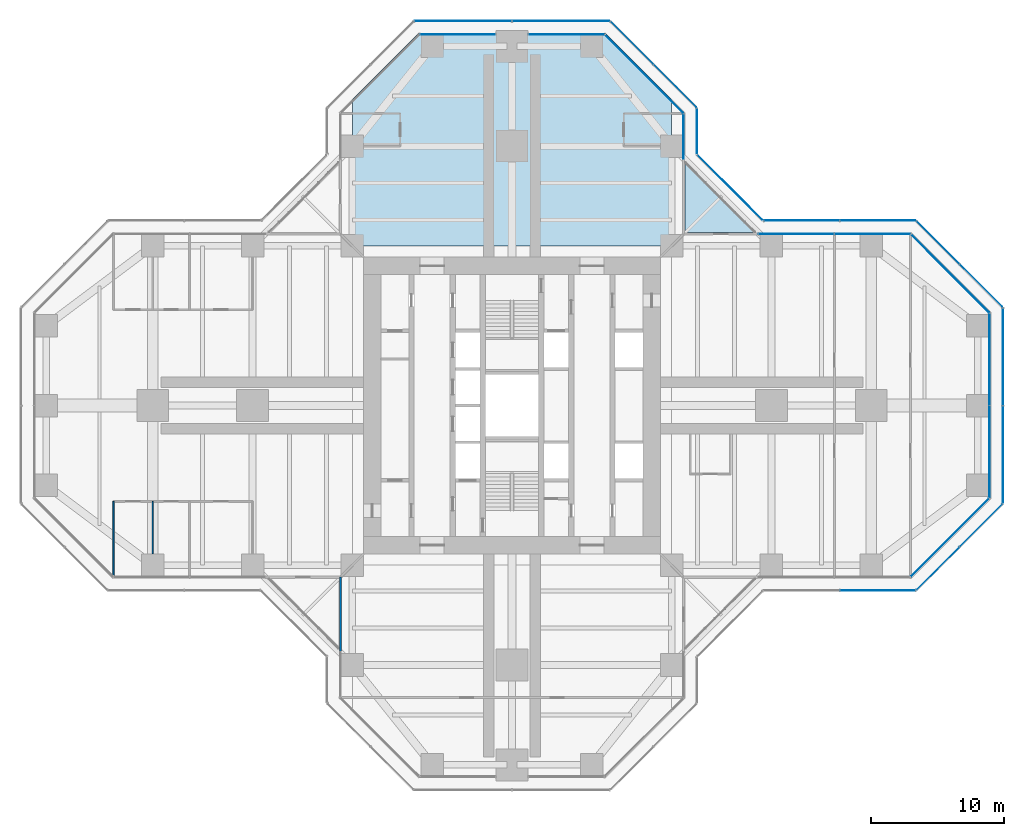
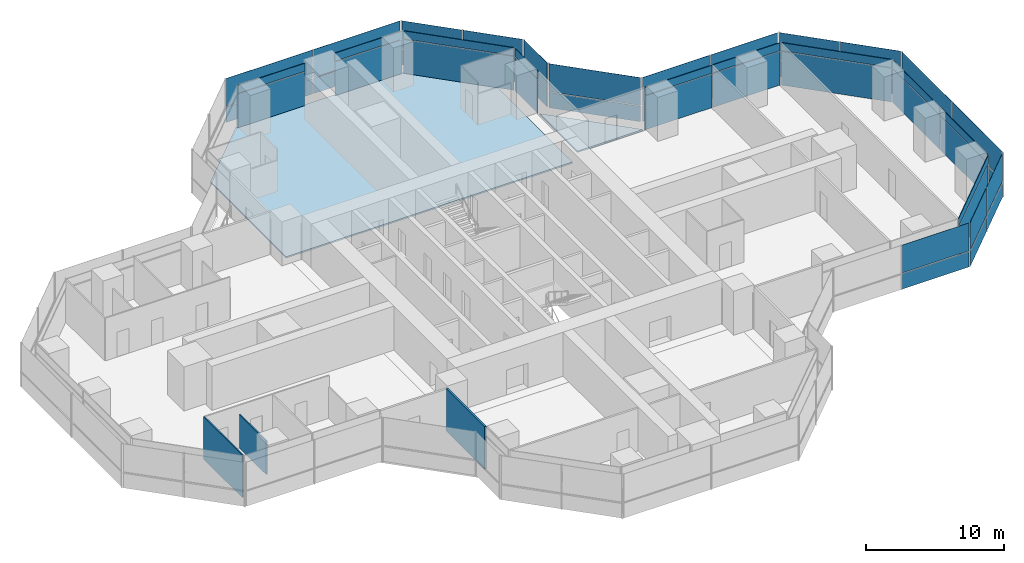
# One storey, part 14 of 20: 50 plates, 3 walls, 2 slabs, 17 elements without a shape of their own.
"""IFC4 building model written with IfcOpenShell, lengths in metres."""

import ifcopenshell
import ifcopenshell.guid

model = None  # the IFC model being written
_history = None  # IfcOwnerHistory: only IFC2X3 demands one
_inside = {}  # id of a spatial element -> (the spatial element, [elements in it])
_under = {}  # id of a project, library or spatial element -> (it, [spatial elements below it])
_declared = {}  # id of a project -> (the project, [libraries it declares])
_typed = {}  # id of a type object -> (the type object, [elements of that type])
_made_of = {}  # id of a material, layer set ... -> (it, [elements and type objects made of it])


def new_model(schema):
    """Start an empty IFC model of exactly this schema.

    Asked for "IFC4X3", IfcOpenShell would pick the latest addendum, in which some entities
    have other attributes; the version numbers below select the first issue.
    IFC2X3 requires an IfcOwnerHistory on every rooted entity: one is made here for all.
    """
    global model, _history
    if schema == "IFC4X3":
        model = ifcopenshell.file(schema_version=(4, 3, 0, 0))
    else:
        model = ifcopenshell.file(schema=schema)
    _inside.clear()
    _under.clear()
    _declared.clear()
    _typed.clear()
    _made_of.clear()
    _history = None
    if model.schema == "IFC2X3":
        org = make("IfcOrganization", Name="unknown")
        user = make(
            "IfcPersonAndOrganization",
            ThePerson=make("IfcPerson", FamilyName="unknown"),
            TheOrganization=org,
        )
        app = make(
            "IfcApplication",
            ApplicationDeveloper=org,
            Version="unknown",
            ApplicationFullName="unknown",
            ApplicationIdentifier="unknown",
        )
        _history = make(
            "IfcOwnerHistory",
            OwningUser=user,
            OwningApplication=app,
            ChangeAction="ADDED",
            CreationDate=0,
        )
    return model


def make(cls, **values):
    """One entity of the class cls with the attributes given. An attribute that is None is left unset."""
    return model.create_entity(
        cls, **{name: value for name, value in values.items() if value is not None}
    )


def rooted(cls, **values):
    """An entity with a GlobalId (a new one), such as an element, a storey or a relation."""
    return make(cls, GlobalId=ifcopenshell.guid.new(), OwnerHistory=_history, **values)


def si_unit(unit_type, name, prefix=None):
    """IfcSIUnit, for example si_unit("LENGTHUNIT", "METRE", prefix="MILLI")."""
    return make("IfcSIUnit", UnitType=unit_type, Prefix=prefix, Name=name)


def assignment(units):
    """IfcUnitAssignment: the units of a project."""
    return None if units is None else make("IfcUnitAssignment", Units=units)


def point(xyz):
    """IfcCartesianPoint."""
    return None if xyz is None else make("IfcCartesianPoint", Coordinates=xyz)


def direction(xyz):
    """IfcDirection."""
    return None if xyz is None else make("IfcDirection", DirectionRatios=xyz)


def frame(location, z_axis=None, x_axis=None):
    """IfcAxis2Placement3D, a coordinate frame: its origin and axes. An axis left out is left unset."""
    return make(
        "IfcAxis2Placement3D",
        Location=point(location),
        Axis=direction(z_axis),
        RefDirection=direction(x_axis),
    )


def frame_2d(location, x_axis=None):
    """IfcAxis2Placement2D, a coordinate frame in the plane: its origin and x axis."""
    return make(
        "IfcAxis2Placement2D", Location=point(location), RefDirection=direction(x_axis)
    )


def origin():
    """The frame at (0, 0, 0) with its axes left unset."""
    return frame((0.0, 0.0, 0.0))


def origin_2d():
    """The frame at (0, 0) in the plane with its x axis left unset."""
    return frame_2d((0.0, 0.0))


def place(relative_to, where):
    """IfcLocalPlacement: puts the frame where relative to a parent placement (None: the world)."""
    return make(
        "IfcLocalPlacement", PlacementRelTo=relative_to, RelativePlacement=where
    )


def context(
    kind, dimensions, precision=None, world=None, true_north=None, identifier=None
):
    """IfcGeometricRepresentationContext, for example the 3D "Model" context."""
    return make(
        "IfcGeometricRepresentationContext",
        ContextIdentifier=identifier,
        ContextType=kind,
        CoordinateSpaceDimension=dimensions,
        Precision=precision,
        WorldCoordinateSystem=world,
        TrueNorth=true_north,
    )


def subcontext(parent, identifier, kind, view, scale=None):
    """IfcGeometricRepresentationSubContext, for example "Body" below "Model"."""
    return make(
        "IfcGeometricRepresentationSubContext",
        ContextIdentifier=identifier,
        ContextType=kind,
        ParentContext=parent,
        TargetScale=scale,
        TargetView=view,
    )


def project(units=None, contexts=None):
    """IfcProject with its units and contexts."""
    return rooted(
        "IfcProject",
        Name="project",
        RepresentationContexts=contexts,
        UnitsInContext=assignment(units),
    )


def spatial(cls, under=None, at=None, **own):
    """A site, building, storey or space (cls), placed at a placement, below another one or the project."""
    s = rooted(cls, ObjectPlacement=at, **own)
    if under is not None:
        _under.setdefault(under.id(), (under, []))[1].append(s)
    return s


def polyline(points):
    """IfcPolyline through the points."""
    return make("IfcPolyline", Points=[point(p) for p in points])


def profile(cls, at=None, kind="AREA", **sizes):
    """A parametric profile (cls). Its sizes go by their IFC names, for example OverallWidth=200.0."""
    return make(cls, ProfileType=kind, Position=at, **sizes)


def rectangle(**sizes):
    """IfcRectangleProfileDef."""
    return profile("IfcRectangleProfileDef", **sizes)


def outline(outer, holes=None, kind="AREA"):
    """IfcArbitraryClosedProfileDef: a profile drawn as a closed curve; with holes, ...WithVoids."""
    if holes is None:
        return make("IfcArbitraryClosedProfileDef", ProfileType=kind, OuterCurve=outer)
    return make(
        "IfcArbitraryProfileDefWithVoids",
        ProfileType=kind,
        OuterCurve=outer,
        InnerCurves=holes,
    )


def extrude(swept, where, along, depth):
    """IfcExtrudedAreaSolid: the profile swept, set in the frame where, extruded along a direction by depth."""
    return make(
        "IfcExtrudedAreaSolid",
        SweptArea=swept,
        Position=where,
        ExtrudedDirection=direction(along),
        Depth=depth,
    )


def shape(context_of_items, identifier, shape_type, items):
    """IfcShapeRepresentation: the items that make up one representation, for example the "Body"."""
    return make(
        "IfcShapeRepresentation",
        ContextOfItems=context_of_items,
        RepresentationIdentifier=identifier,
        RepresentationType=shape_type,
        Items=items,
    )


def material(Name=None, Category=None):
    """IfcMaterial."""
    return make("IfcMaterial", Name=Name, Category=Category)


def layer(
    of_material, thickness, ventilated=None, Name=None, Category=None, Priority=None
):
    """IfcMaterialLayer: one layer of a wall or slab, of a material (None: an air gap)."""
    return make(
        "IfcMaterialLayer",
        Material=of_material,
        LayerThickness=thickness,
        IsVentilated=ventilated,
        Name=Name,
        Category=Category,
        Priority=Priority,
    )


def layer_set(layers, Name=None):
    """IfcMaterialLayerSet."""
    return make("IfcMaterialLayerSet", MaterialLayers=layers, LayerSetName=Name)


def made_of(thing, what):
    """Note that an element or type object is made of a material, layer set ...; save() writes the relation."""
    if what is not None:
        _made_of.setdefault(what.id(), (what, []))[1].append(thing)
    return thing


def type_object(cls, material=None, **own):
    """A type object (cls), such as IfcWallType, which elements share."""
    return made_of(rooted(cls, **own), material)


def element(
    cls,
    number,
    at=None,
    inside=None,
    cuts=None,
    type_object=None,
    material=None,
    context=None,
    identifier="Body",
    shape_type=None,
    held_by="IfcProductDefinitionShape",
    body=None,
    shapes=None,
    **own,
):
    """One element of the class cls, such as IfcWall. Its Tag is "e" and its number.

    at: its placement. inside: the storey or other place that contains it. cuts: it is an
    opening in that element (IfcRelVoidsElement). A single representation is given by context,
    identifier, shape_type and body (its items); several are given by shapes. held_by: the class
    of the entity that holds the representations. save() writes the other relations.
    """
    e = rooted(cls, Tag="e%d" % number, ObjectPlacement=at, **own)
    if body is not None:
        shapes = [shape(context, identifier, shape_type, body)]
    if shapes is not None:
        e.Representation = make(held_by, Representations=shapes)
    if inside is not None:
        _inside.setdefault(inside.id(), (inside, []))[1].append(e)
    if cuts is not None:
        rooted(
            "IfcRelVoidsElement", RelatingBuildingElement=cuts, RelatedOpeningElement=e
        )
    if type_object is not None:
        _typed.setdefault(type_object.id(), (type_object, []))[1].append(e)
    return made_of(e, material)


def aggregate(whole, parts):
    """IfcRelAggregates: a whole, such as a stair, and the parts it consists of."""
    return rooted("IfcRelAggregates", RelatingObject=whole, RelatedObjects=parts)


def save(model, path):
    """Write the relations noted so far, then the file.

    IfcRelAggregates (storeys below a building ...), IfcRelContainedInSpatialStructure (elements
    in a storey), IfcRelDefinesByType, IfcRelAssociatesMaterial and IfcRelDeclares: one each for
    every whole, place, type object, material and project.
    """
    for whole, parts in _under.values():
        aggregate(whole, parts)
    for where, things in _inside.values():
        rooted(
            "IfcRelContainedInSpatialStructure",
            RelatedElements=things,
            RelatingStructure=where,
        )
    for kind, things in _typed.values():
        rooted("IfcRelDefinesByType", RelatedObjects=things, RelatingType=kind)
    for what, things in _made_of.values():
        rooted("IfcRelAssociatesMaterial", RelatedObjects=things, RelatingMaterial=what)
    for by, libraries in _declared.values():
        rooted("IfcRelDeclares", RelatingContext=by, RelatedDefinitions=libraries)
    model.write(path)


model = new_model("IFC4")

# Units and contexts
model_context = context("Model", 3, precision=1e-05, world=origin(), true_north=direction((0.0, 1.0)))
body_context = subcontext(model_context, "Body", "Model", "MODEL_VIEW")
ifc_project = project(units=[si_unit("LENGTHUNIT", "METRE"), si_unit("AREAUNIT", "SQUARE_METRE"), si_unit("VOLUMEUNIT", "CUBIC_METRE"), si_unit("PLANEANGLEUNIT", "RADIAN"), si_unit("MASSUNIT", "GRAM", prefix="KILO")], contexts=[model_context])

# Site, building, storey
site_placement = place(None, origin())
site = spatial("IfcSite", under=ifc_project, at=site_placement, CompositionType="ELEMENT")
building_placement = place(site_placement, origin())
building = spatial("IfcBuilding", under=site, at=building_placement, Name="Mizan Broadcast Tower", CompositionType="ELEMENT")
storey_placement = place(building_placement, frame((0.0, 0.0, 174.89990234375)))
storey = spatial("IfcBuildingStorey", under=building, at=storey_placement, Name="L40", CompositionType="ELEMENT", Elevation=174.89990234375)

# Slab
ifc_material_1 = material(Name="Concrete C32/40", Category="concrete")
ifc_layer_1 = layer(ifc_material_1, 0.1298828125)
ifc_layer_set_1 = layer_set([ifc_layer_1], Name="Concrete C32/40")
slab_type_1 = type_object("IfcSlabType", Name="COMPOSITE DECK SLAB 130", PredefinedType="FLOOR", material=ifc_layer_set_1)
slab_1_placement = place(storey_placement, frame((0.0, 0.0, -0.1298828125)))
element("IfcSlab", 1, at=slab_1_placement, inside=storey, type_object=slab_type_1, Name="Floor slab L40 north arm", PredefinedType="FLOOR", context=body_context, shape_type="SweptSolid", body=[
    extrude(outline(polyline([(-7.0, 28.0), (-12.0, 23.0), (-12.0, 12.0), (12.0, 12.0), (12.0, 23.0), (7.0, 28.0), (-7.0, 28.0)])), origin(), (0.0, 0.0, 1.0), 0.1298828125),
])

# Curtain wall, plate
ifc_material_2 = material(Name="Aluminium framed glazing", Category="aluminium")
curtain_wall_type_1 = type_object("IfcCurtainWallType", Name="INNER SKIN MID ZONE", PredefinedType="USERDEFINED", material=ifc_material_2)
curtain_wall_1_placement = place(storey_placement, origin())
curtain_wall_1 = element("IfcCurtainWall", 2, at=curtain_wall_1_placement, inside=storey, type_object=curtain_wall_type_1, Name="Inner skin mid zone L40 E chamfer", ObjectType="INNER SKIN MID ZONE", PredefinedType="USERDEFINED")
ifc_material_3 = material(Name="Double glazing, clear low-e", Category="glass")
ifc_layer_2 = layer(ifc_material_3, 0.028076171875)
ifc_layer_set_2 = layer_set([ifc_layer_2], Name="Double glazing, clear low-e")
plate_type_1 = type_object("IfcPlateType", Name="INNER SKIN GLAZING UNIT", PredefinedType="CURTAIN_PANEL", material=ifc_layer_set_2)
plate_1_placement = place(storey_placement, frame((32.92919921875, -9.92919921875, 0.0), z_axis=(0.0, 0.0, 1.0), x_axis=(0.707106781187, 0.707106781187, 0.0)))
plate_1 = element("IfcPlate", 3, at=plate_1_placement, type_object=plate_type_1, Name="Inner skin mid zone L40 E chamfer panel 1.1", PredefinedType="CURTAIN_PANEL", context=body_context, shape_type="SweptSolid", body=[
    extrude(rectangle(XDim=8.282470703125, YDim=0.028076171875, at=origin_2d()), origin(), (0.0, 0.0, 1.0), 3.0),
])

# Curtain wall, plates
curtain_wall_2_placement = place(storey_placement, origin())
curtain_wall_2 = element("IfcCurtainWall", 4, at=curtain_wall_2_placement, inside=storey, type_object=curtain_wall_type_1, Name="Inner skin mid zone L40 E end", ObjectType="INNER SKIN MID ZONE", PredefinedType="USERDEFINED")
plate_2_placement = place(storey_placement, frame((35.89990234375, -3.46435546875, 0.0), z_axis=(0.0, 0.0, 1.0), x_axis=(0.0, 1.0, 0.0)))
plate_2 = element("IfcPlate", 5, at=plate_2_placement, type_object=plate_type_1, Name="Inner skin mid zone L40 E end panel 1.1", PredefinedType="CURTAIN_PANEL", context=body_context, shape_type="SweptSolid", body=[
    extrude(rectangle(XDim=6.86865234375, YDim=0.028076171875, at=origin_2d()), origin(), (0.0, 0.0, 1.0), 3.0),
])
plate_3_placement = place(storey_placement, frame((35.89990234375, 3.46435546875, 0.0), z_axis=(0.0, 0.0, 1.0), x_axis=(0.0, 1.0, 0.0)))
plate_3 = element("IfcPlate", 6, at=plate_3_placement, type_object=plate_type_1, Name="Inner skin mid zone L40 E end panel 2.1", PredefinedType="CURTAIN_PANEL", context=body_context, shape_type="SweptSolid", body=[
    extrude(rectangle(XDim=6.86865234375, YDim=0.028076171875, at=origin_2d()), origin(), (0.0, 0.0, 1.0), 3.0),
])

# Curtain wall, plate
curtain_wall_3_placement = place(storey_placement, origin())
curtain_wall_3 = element("IfcCurtainWall", 7, at=curtain_wall_3_placement, inside=storey, type_object=curtain_wall_type_1, Name="Inner skin mid zone L40 E chamfer", ObjectType="INNER SKIN MID ZONE", PredefinedType="USERDEFINED")
plate_4_placement = place(storey_placement, frame((32.92919921875, 9.92919921875, 0.0), z_axis=(0.0, 0.0, 1.0), x_axis=(-0.707106781187, 0.707106781187, 0.0)))
plate_4 = element("IfcPlate", 8, at=plate_4_placement, type_object=plate_type_1, Name="Inner skin mid zone L40 E chamfer panel 1.1", PredefinedType="CURTAIN_PANEL", context=body_context, shape_type="SweptSolid", body=[
    extrude(rectangle(XDim=8.282470703125, YDim=0.028076171875, at=origin_2d()), origin(), (0.0, 0.0, 1.0), 3.0),
])

# Curtain wall, plates
curtain_wall_4_placement = place(storey_placement, origin())
curtain_wall_4 = element("IfcCurtainWall", 9, at=curtain_wall_4_placement, inside=storey, type_object=curtain_wall_type_1, Name="Inner skin mid zone L40 E side", ObjectType="INNER SKIN MID ZONE", PredefinedType="USERDEFINED")
plate_5_placement = place(storey_placement, frame((27.078857421875, 12.89990234375, 0.0), z_axis=(0.0, 0.0, 1.0), x_axis=(-1.0, 0.0, 0.0)))
plate_5 = element("IfcPlate", 10, at=plate_5_placement, type_object=plate_type_1, Name="Inner skin mid zone L40 E side panel 1.1", PredefinedType="CURTAIN_PANEL", context=body_context, shape_type="SweptSolid", body=[
    extrude(rectangle(XDim=5.639404296875, YDim=0.028076171875, at=origin_2d()), origin(), (0.0, 0.0, 1.0), 3.0),
])
plate_6_placement = place(storey_placement, frame((21.379638671875, 12.89990234375, 0.0), z_axis=(0.0, 0.0, 1.0), x_axis=(-1.0, 0.0, 0.0)))
plate_6 = element("IfcPlate", 11, at=plate_6_placement, type_object=plate_type_1, Name="Inner skin mid zone L40 E side panel 2.1", PredefinedType="CURTAIN_PANEL", context=body_context, shape_type="SweptSolid", body=[
    extrude(rectangle(XDim=5.639404296875, YDim=0.028076171875, at=origin_2d()), origin(), (0.0, 0.0, 1.0), 3.0),
])

# Curtain wall, plate
curtain_wall_5_placement = place(storey_placement, origin())
curtain_wall_5 = element("IfcCurtainWall", 12, at=curtain_wall_5_placement, inside=storey, type_object=curtain_wall_type_1, Name="Inner skin mid zone L40 N side", ObjectType="INNER SKIN MID ZONE", PredefinedType="USERDEFINED")
plate_7_placement = place(storey_placement, frame((12.89990234375, 20.229248046875, 0.0), z_axis=(0.0, 0.0, 1.0), x_axis=(0.0, 1.0, 0.0)))
plate_7 = element("IfcPlate", 13, at=plate_7_placement, type_object=plate_type_1, Name="Inner skin mid zone L40 N side panel 1.1", PredefinedType="CURTAIN_PANEL", context=body_context, shape_type="SweptSolid", body=[
    extrude(rectangle(XDim=3.338623046875, YDim=0.028076171875, at=origin_2d()), origin(), (0.0, 0.0, 1.0), 3.0),
])

curtain_wall_6_placement = place(storey_placement, origin())
curtain_wall_6 = element("IfcCurtainWall", 14, at=curtain_wall_6_placement, inside=storey, type_object=curtain_wall_type_1, Name="Inner skin mid zone L40 N chamfer", ObjectType="INNER SKIN MID ZONE", PredefinedType="USERDEFINED")
plate_8_placement = place(storey_placement, frame((9.92919921875, 24.92919921875, 0.0), z_axis=(0.0, 0.0, 1.0), x_axis=(-0.707106781187, 0.707106781187, 0.0)))
plate_8 = element("IfcPlate", 15, at=plate_8_placement, type_object=plate_type_1, Name="Inner skin mid zone L40 N chamfer panel 1.1", PredefinedType="CURTAIN_PANEL", context=body_context, shape_type="SweptSolid", body=[
    extrude(rectangle(XDim=8.282470703125, YDim=0.028076171875, at=origin_2d()), origin(), (0.0, 0.0, 1.0), 3.0),
])

curtain_wall_7_placement = place(storey_placement, origin())
curtain_wall_7 = element("IfcCurtainWall", 16, at=curtain_wall_7_placement, inside=storey, type_object=curtain_wall_type_1, Name="Inner skin mid zone L40 N end", ObjectType="INNER SKIN MID ZONE", PredefinedType="USERDEFINED")
plate_9_placement = place(storey_placement, frame((4.079345703125, 27.89990234375, 0.0), z_axis=(0.0, 0.0, 1.0), x_axis=(-1.0, 0.0, 0.0)))
plate_9 = element("IfcPlate", 17, at=plate_9_placement, type_object=plate_type_1, Name="Inner skin mid zone L40 N end panel 1.1", PredefinedType="CURTAIN_PANEL", context=body_context, shape_type="SweptSolid", body=[
    extrude(rectangle(XDim=5.638671875, YDim=0.028076171875, at=origin_2d()), origin(), (0.0, 0.0, 1.0), 3.0),
])

curtain_wall_8_placement = place(storey_placement, origin())
curtain_wall_8 = element("IfcCurtainWall", 18, at=curtain_wall_8_placement, inside=storey, type_object=curtain_wall_type_1, Name="Inner skin mid zone L40 N end", ObjectType="INNER SKIN MID ZONE", PredefinedType="USERDEFINED")
plate_10_placement = place(storey_placement, frame((-4.079345703125, 27.89990234375, 0.0), z_axis=(0.0, 0.0, 1.0), x_axis=(-1.0, 0.0, 0.0)))
plate_10 = element("IfcPlate", 19, at=plate_10_placement, type_object=plate_type_1, Name="Inner skin mid zone L40 N end panel 1.1", PredefinedType="CURTAIN_PANEL", context=body_context, shape_type="SweptSolid", body=[
    extrude(rectangle(XDim=5.638671875, YDim=0.028076171875, at=origin_2d()), origin(), (0.0, 0.0, 1.0), 3.0),
])

# Plate
ifc_material_4 = material(Name="Insulated aluminium spandrel panel, pale anodised", Category="aluminium")
ifc_layer_3 = layer(ifc_material_4, 0.050048828125)
ifc_layer_set_3 = layer_set([ifc_layer_3], Name="Insulated aluminium spandrel panel, pale anodised")
plate_type_2 = type_object("IfcPlateType", Name="INNER SKIN SPANDREL PANEL", PredefinedType="CURTAIN_PANEL", material=ifc_layer_set_3)
plate_11_placement = place(storey_placement, frame((32.92919921875, -9.92919921875, 3.06005859375), z_axis=(0.0, 0.0, 1.0), x_axis=(0.707106781187, 0.707106781187, 0.0)))
plate_11 = element("IfcPlate", 20, at=plate_11_placement, type_object=plate_type_2, Name="Inner skin mid zone L40 E chamfer panel 1.2", PredefinedType="CURTAIN_PANEL", context=body_context, shape_type="SweptSolid", body=[
    extrude(rectangle(XDim=8.282470703125, YDim=0.050048828125, at=origin_2d()), origin(), (0.0, 0.0, 1.0), 0.7099609375),
])

aggregate(curtain_wall_1, [plate_1, plate_11])

plate_12_placement = place(storey_placement, frame((35.89990234375, -3.46435546875, 3.06005859375), z_axis=(0.0, 0.0, 1.0), x_axis=(0.0, 1.0, 0.0)))
plate_12 = element("IfcPlate", 21, at=plate_12_placement, type_object=plate_type_2, Name="Inner skin mid zone L40 E end panel 1.2", PredefinedType="CURTAIN_PANEL", context=body_context, shape_type="SweptSolid", body=[
    extrude(rectangle(XDim=6.86865234375, YDim=0.050048828125, at=origin_2d()), origin(), (0.0, 0.0, 1.0), 0.7099609375),
])

plate_13_placement = place(storey_placement, frame((35.89990234375, 3.46435546875, 3.06005859375), z_axis=(0.0, 0.0, 1.0), x_axis=(0.0, 1.0, 0.0)))
plate_13 = element("IfcPlate", 22, at=plate_13_placement, type_object=plate_type_2, Name="Inner skin mid zone L40 E end panel 2.2", PredefinedType="CURTAIN_PANEL", context=body_context, shape_type="SweptSolid", body=[
    extrude(rectangle(XDim=6.86865234375, YDim=0.050048828125, at=origin_2d()), origin(), (0.0, 0.0, 1.0), 0.7099609375),
])

aggregate(curtain_wall_2, [plate_2, plate_12, plate_3, plate_13])

plate_14_placement = place(storey_placement, frame((32.92919921875, 9.92919921875, 3.06005859375), z_axis=(0.0, 0.0, 1.0), x_axis=(-0.707106781187, 0.707106781187, 0.0)))
plate_14 = element("IfcPlate", 23, at=plate_14_placement, type_object=plate_type_2, Name="Inner skin mid zone L40 E chamfer panel 1.2", PredefinedType="CURTAIN_PANEL", context=body_context, shape_type="SweptSolid", body=[
    extrude(rectangle(XDim=8.282470703125, YDim=0.050048828125, at=origin_2d()), origin(), (0.0, 0.0, 1.0), 0.7099609375),
])

aggregate(curtain_wall_3, [plate_4, plate_14])

plate_15_placement = place(storey_placement, frame((27.078857421875, 12.89990234375, 3.06005859375), z_axis=(0.0, 0.0, 1.0), x_axis=(-1.0, 0.0, 0.0)))
plate_15 = element("IfcPlate", 24, at=plate_15_placement, type_object=plate_type_2, Name="Inner skin mid zone L40 E side panel 1.2", PredefinedType="CURTAIN_PANEL", context=body_context, shape_type="SweptSolid", body=[
    extrude(rectangle(XDim=5.639404296875, YDim=0.050048828125, at=origin_2d()), origin(), (0.0, 0.0, 1.0), 0.7099609375),
])

plate_16_placement = place(storey_placement, frame((21.379638671875, 12.89990234375, 3.06005859375), z_axis=(0.0, 0.0, 1.0), x_axis=(-1.0, 0.0, 0.0)))
plate_16 = element("IfcPlate", 25, at=plate_16_placement, type_object=plate_type_2, Name="Inner skin mid zone L40 E side panel 2.2", PredefinedType="CURTAIN_PANEL", context=body_context, shape_type="SweptSolid", body=[
    extrude(rectangle(XDim=5.639404296875, YDim=0.050048828125, at=origin_2d()), origin(), (0.0, 0.0, 1.0), 0.7099609375),
])

aggregate(curtain_wall_4, [plate_5, plate_15, plate_6, plate_16])

plate_17_placement = place(storey_placement, frame((12.89990234375, 20.229248046875, 3.06005859375), z_axis=(0.0, 0.0, 1.0), x_axis=(0.0, 1.0, 0.0)))
plate_17 = element("IfcPlate", 26, at=plate_17_placement, type_object=plate_type_2, Name="Inner skin mid zone L40 N side panel 1.2", PredefinedType="CURTAIN_PANEL", context=body_context, shape_type="SweptSolid", body=[
    extrude(rectangle(XDim=3.338623046875, YDim=0.050048828125, at=origin_2d()), origin(), (0.0, 0.0, 1.0), 0.7099609375),
])

aggregate(curtain_wall_5, [plate_7, plate_17])

plate_18_placement = place(storey_placement, frame((9.92919921875, 24.92919921875, 3.06005859375), z_axis=(0.0, 0.0, 1.0), x_axis=(-0.707106781187, 0.707106781187, 0.0)))
plate_18 = element("IfcPlate", 27, at=plate_18_placement, type_object=plate_type_2, Name="Inner skin mid zone L40 N chamfer panel 1.2", PredefinedType="CURTAIN_PANEL", context=body_context, shape_type="SweptSolid", body=[
    extrude(rectangle(XDim=8.282470703125, YDim=0.050048828125, at=origin_2d()), origin(), (0.0, 0.0, 1.0), 0.7099609375),
])

aggregate(curtain_wall_6, [plate_8, plate_18])

plate_19_placement = place(storey_placement, frame((4.079345703125, 27.89990234375, 3.06005859375), z_axis=(0.0, 0.0, 1.0), x_axis=(-1.0, 0.0, 0.0)))
plate_19 = element("IfcPlate", 28, at=plate_19_placement, type_object=plate_type_2, Name="Inner skin mid zone L40 N end panel 1.2", PredefinedType="CURTAIN_PANEL", context=body_context, shape_type="SweptSolid", body=[
    extrude(rectangle(XDim=5.638671875, YDim=0.050048828125, at=origin_2d()), origin(), (0.0, 0.0, 1.0), 0.7099609375),
])

aggregate(curtain_wall_7, [plate_9, plate_19])

plate_20_placement = place(storey_placement, frame((-4.079345703125, 27.89990234375, 3.06005859375), z_axis=(0.0, 0.0, 1.0), x_axis=(-1.0, 0.0, 0.0)))
plate_20 = element("IfcPlate", 29, at=plate_20_placement, type_object=plate_type_2, Name="Inner skin mid zone L40 N end panel 1.2", PredefinedType="CURTAIN_PANEL", context=body_context, shape_type="SweptSolid", body=[
    extrude(rectangle(XDim=5.638671875, YDim=0.050048828125, at=origin_2d()), origin(), (0.0, 0.0, 1.0), 0.7099609375),
])

aggregate(curtain_wall_8, [plate_10, plate_20])

# Curtain wall, plates
ifc_material_5 = material(Name="Aluminium framed glazing", Category="aluminium")
curtain_wall_type_2 = type_object("IfcCurtainWallType", Name="OUTER SKIN", PredefinedType="USERDEFINED", material=ifc_material_5)
curtain_wall_9_placement = place(storey_placement, origin())
curtain_wall_9 = element("IfcCurtainWall", 30, at=curtain_wall_9_placement, inside=storey, type_object=curtain_wall_type_2, Name="Outer skin L40 E chamfer", ObjectType="OUTER SKIN", PredefinedType="USERDEFINED")
ifc_material_6 = material(Name="Laminated clear glass", Category="glass")
ifc_layer_4 = layer(ifc_material_6, 0.02001953125)
ifc_layer_set_4 = layer_set([ifc_layer_4], Name="Laminated clear glass")
plate_type_3 = type_object("IfcPlateType", Name="OUTER SKIN CLEAR GLASS", PredefinedType="CURTAIN_PANEL", material=ifc_layer_set_4)
plate_21_placement = place(storey_placement, frame((32.018798828125, -12.254150390625, 0.0), z_axis=(0.0, 0.0, 1.0), x_axis=(0.707106781187, 0.707106781187, 0.0)))
plate_21 = element("IfcPlate", 31, at=plate_21_placement, type_object=plate_type_3, Name="Outer skin L40 E chamfer panel 1.1", PredefinedType="CURTAIN_PANEL", context=body_context, shape_type="SweptSolid", body=[
    extrude(rectangle(XDim=4.495361328125, YDim=0.02001953125, at=origin_2d()), origin(), (0.0, 0.0, 1.0), 1.3701171875),
])
plate_22_placement = place(storey_placement, frame((32.018798828125, -12.254150390625, 1.43017578125), z_axis=(0.0, 0.0, 1.0), x_axis=(0.707106781187, 0.707106781187, 0.0)))
plate_22 = element("IfcPlate", 32, at=plate_22_placement, type_object=plate_type_3, Name="Outer skin L40 E chamfer panel 1.2", PredefinedType="CURTAIN_PANEL", context=body_context, shape_type="SweptSolid", body=[
    extrude(rectangle(XDim=4.495361328125, YDim=0.02001953125, at=origin_2d()), origin(), (0.0, 0.0, 1.0), 2.469970703125),
])

curtain_wall_10_placement = place(storey_placement, origin())
curtain_wall_10 = element("IfcCurtainWall", 33, at=curtain_wall_10_placement, inside=storey, type_object=curtain_wall_type_2, Name="Outer skin L40 E end", ObjectType="OUTER SKIN", PredefinedType="USERDEFINED")
plate_23_placement = place(storey_placement, frame((36.89990234375, -3.66650390625, 0.0), z_axis=(0.0, 0.0, 1.0), x_axis=(0.0, 1.0, 0.0)))
plate_23 = element("IfcPlate", 34, at=plate_23_placement, type_object=plate_type_3, Name="Outer skin L40 E end panel 1.1", PredefinedType="CURTAIN_PANEL", context=body_context, shape_type="SweptSolid", body=[
    extrude(rectangle(XDim=7.252685546875, YDim=0.02001953125, at=origin_2d()), origin(), (0.0, 0.0, 1.0), 1.3701171875),
])
plate_24_placement = place(storey_placement, frame((36.89990234375, -3.66650390625, 1.43017578125), z_axis=(0.0, 0.0, 1.0), x_axis=(0.0, 1.0, 0.0)))
plate_24 = element("IfcPlate", 35, at=plate_24_placement, type_object=plate_type_3, Name="Outer skin L40 E end panel 1.2", PredefinedType="CURTAIN_PANEL", context=body_context, shape_type="SweptSolid", body=[
    extrude(rectangle(XDim=7.252685546875, YDim=0.02001953125, at=origin_2d()), origin(), (0.0, 0.0, 1.0), 2.469970703125),
])

curtain_wall_11_placement = place(storey_placement, origin())
curtain_wall_11 = element("IfcCurtainWall", 36, at=curtain_wall_11_placement, inside=storey, type_object=curtain_wall_type_2, Name="Outer skin L40 E chamfer", ObjectType="OUTER SKIN", PredefinedType="USERDEFINED")
plate_25_placement = place(storey_placement, frame((35.254150390625, 9.018798828125, 0.0), z_axis=(0.0, 0.0, 1.0), x_axis=(-0.707106781187, 0.707106781187, 0.0)))
plate_25 = element("IfcPlate", 37, at=plate_25_placement, type_object=plate_type_3, Name="Outer skin L40 E chamfer panel 1.1", PredefinedType="CURTAIN_PANEL", context=body_context, shape_type="SweptSolid", body=[
    extrude(rectangle(XDim=4.495361328125, YDim=0.02001953125, at=origin_2d()), origin(), (0.0, 0.0, 1.0), 1.3701171875),
])
plate_26_placement = place(storey_placement, frame((35.254150390625, 9.018798828125, 1.43017578125), z_axis=(0.0, 0.0, 1.0), x_axis=(-0.707106781187, 0.707106781187, 0.0)))
plate_26 = element("IfcPlate", 38, at=plate_26_placement, type_object=plate_type_3, Name="Outer skin L40 E chamfer panel 1.2", PredefinedType="CURTAIN_PANEL", context=body_context, shape_type="SweptSolid", body=[
    extrude(rectangle(XDim=4.495361328125, YDim=0.02001953125, at=origin_2d()), origin(), (0.0, 0.0, 1.0), 2.469970703125),
])

curtain_wall_12_placement = place(storey_placement, origin())
curtain_wall_12 = element("IfcCurtainWall", 39, at=curtain_wall_12_placement, inside=storey, type_object=curtain_wall_type_2, Name="Outer skin L40 E side", ObjectType="OUTER SKIN", PredefinedType="USERDEFINED")
plate_27_placement = place(storey_placement, frame((27.477783203125, 13.89990234375, 0.0), z_axis=(0.0, 0.0, 1.0), x_axis=(-1.0, 0.0, 0.0)))
plate_27 = element("IfcPlate", 40, at=plate_27_placement, type_object=plate_type_3, Name="Outer skin L40 E side panel 1.1", PredefinedType="CURTAIN_PANEL", context=body_context, shape_type="SweptSolid", body=[
    extrude(rectangle(XDim=5.6298828125, YDim=0.02001953125, at=origin_2d()), origin(), (0.0, 0.0, 1.0), 1.3701171875),
])
plate_28_placement = place(storey_placement, frame((27.477783203125, 13.89990234375, 1.43017578125), z_axis=(0.0, 0.0, 1.0), x_axis=(-1.0, 0.0, 0.0)))
plate_28 = element("IfcPlate", 41, at=plate_28_placement, type_object=plate_type_3, Name="Outer skin L40 E side panel 1.2", PredefinedType="CURTAIN_PANEL", context=body_context, shape_type="SweptSolid", body=[
    extrude(rectangle(XDim=5.6298828125, YDim=0.02001953125, at=origin_2d()), origin(), (0.0, 0.0, 1.0), 2.469970703125),
])
plate_29_placement = place(storey_placement, frame((21.767822265625, 13.89990234375, 0.0), z_axis=(0.0, 0.0, 1.0), x_axis=(-1.0, 0.0, 0.0)))
plate_29 = element("IfcPlate", 42, at=plate_29_placement, type_object=plate_type_3, Name="Outer skin L40 E side panel 2.1", PredefinedType="CURTAIN_PANEL", context=body_context, shape_type="SweptSolid", body=[
    extrude(rectangle(XDim=5.6298828125, YDim=0.02001953125, at=origin_2d()), origin(), (0.0, 0.0, 1.0), 1.3701171875),
])
plate_30_placement = place(storey_placement, frame((21.767822265625, 13.89990234375, 1.43017578125), z_axis=(0.0, 0.0, 1.0), x_axis=(-1.0, 0.0, 0.0)))
plate_30 = element("IfcPlate", 43, at=plate_30_placement, type_object=plate_type_3, Name="Outer skin L40 E side panel 2.2", PredefinedType="CURTAIN_PANEL", context=body_context, shape_type="SweptSolid", body=[
    extrude(rectangle(XDim=5.6298828125, YDim=0.02001953125, at=origin_2d()), origin(), (0.0, 0.0, 1.0), 2.469970703125),
])
aggregate(curtain_wall_12, [plate_27, plate_28, plate_29, plate_30])

curtain_wall_13_placement = place(storey_placement, origin())
curtain_wall_13 = element("IfcCurtainWall", 44, at=curtain_wall_13_placement, inside=storey, type_object=curtain_wall_type_2, Name="Outer skin L40 E chamfer", ObjectType="OUTER SKIN", PredefinedType="USERDEFINED")
plate_31_placement = place(storey_placement, frame((16.386474609375, 16.386474609375, 0.0), z_axis=(0.0, 0.0, 1.0), x_axis=(-0.707106781187, 0.707106781187, 0.0)))
plate_31 = element("IfcPlate", 45, at=plate_31_placement, type_object=plate_type_3, Name="Outer skin L40 E chamfer panel 1.1", PredefinedType="CURTAIN_PANEL", context=body_context, shape_type="SweptSolid", body=[
    extrude(rectangle(XDim=6.87255859375, YDim=0.02001953125, at=origin_2d()), origin(), (0.0, 0.0, 1.0), 1.3701171875),
])
plate_32_placement = place(storey_placement, frame((16.386474609375, 16.386474609375, 1.43017578125), z_axis=(0.0, 0.0, 1.0), x_axis=(-0.707106781187, 0.707106781187, 0.0)))
plate_32 = element("IfcPlate", 46, at=plate_32_placement, type_object=plate_type_3, Name="Outer skin L40 E chamfer panel 1.2", PredefinedType="CURTAIN_PANEL", context=body_context, shape_type="SweptSolid", body=[
    extrude(rectangle(XDim=6.87255859375, YDim=0.02001953125, at=origin_2d()), origin(), (0.0, 0.0, 1.0), 2.469970703125),
])
aggregate(curtain_wall_13, [plate_31, plate_32])

curtain_wall_14_placement = place(storey_placement, origin())
curtain_wall_14 = element("IfcCurtainWall", 47, at=curtain_wall_14_placement, inside=storey, type_object=curtain_wall_type_2, Name="Outer skin L40 N side", ObjectType="OUTER SKIN", PredefinedType="USERDEFINED")
plate_33_placement = place(storey_placement, frame((13.89990234375, 20.622802734375, 0.0), z_axis=(0.0, 0.0, 1.0), x_axis=(0.0, 1.0, 0.0)))
plate_33 = element("IfcPlate", 48, at=plate_33_placement, type_object=plate_type_3, Name="Outer skin L40 N side panel 1.1", PredefinedType="CURTAIN_PANEL", context=body_context, shape_type="SweptSolid", body=[
    extrude(rectangle(XDim=3.340087890625, YDim=0.02001953125, at=origin_2d()), origin(), (0.0, 0.0, 1.0), 1.3701171875),
])
plate_34_placement = place(storey_placement, frame((13.89990234375, 20.622802734375, 1.43017578125), z_axis=(0.0, 0.0, 1.0), x_axis=(0.0, 1.0, 0.0)))
plate_34 = element("IfcPlate", 49, at=plate_34_placement, type_object=plate_type_3, Name="Outer skin L40 N side panel 1.2", PredefinedType="CURTAIN_PANEL", context=body_context, shape_type="SweptSolid", body=[
    extrude(rectangle(XDim=3.340087890625, YDim=0.02001953125, at=origin_2d()), origin(), (0.0, 0.0, 1.0), 2.469970703125),
])
aggregate(curtain_wall_14, [plate_33, plate_34])

curtain_wall_15_placement = place(storey_placement, origin())
curtain_wall_15 = element("IfcCurtainWall", 50, at=curtain_wall_15_placement, inside=storey, type_object=curtain_wall_type_2, Name="Outer skin L40 N chamfer", ObjectType="OUTER SKIN", PredefinedType="USERDEFINED")
plate_35_placement = place(storey_placement, frame((12.254150390625, 24.018798828125, 0.0), z_axis=(0.0, 0.0, 1.0), x_axis=(-0.707106781187, 0.707106781187, 0.0)))
plate_35 = element("IfcPlate", 51, at=plate_35_placement, type_object=plate_type_3, Name="Outer skin L40 N chamfer panel 1.1", PredefinedType="CURTAIN_PANEL", context=body_context, shape_type="SweptSolid", body=[
    extrude(rectangle(XDim=4.495361328125, YDim=0.02001953125, at=origin_2d()), origin(), (0.0, 0.0, 1.0), 1.3701171875),
])
plate_36_placement = place(storey_placement, frame((12.254150390625, 24.018798828125, 1.43017578125), z_axis=(0.0, 0.0, 1.0), x_axis=(-0.707106781187, 0.707106781187, 0.0)))
plate_36 = element("IfcPlate", 52, at=plate_36_placement, type_object=plate_type_3, Name="Outer skin L40 N chamfer panel 1.2", PredefinedType="CURTAIN_PANEL", context=body_context, shape_type="SweptSolid", body=[
    extrude(rectangle(XDim=4.495361328125, YDim=0.02001953125, at=origin_2d()), origin(), (0.0, 0.0, 1.0), 2.469970703125),
])

curtain_wall_16_placement = place(storey_placement, origin())
curtain_wall_16 = element("IfcCurtainWall", 53, at=curtain_wall_16_placement, inside=storey, type_object=curtain_wall_type_2, Name="Outer skin L40 N end", ObjectType="OUTER SKIN", PredefinedType="USERDEFINED")
plate_37_placement = place(storey_placement, frame((3.66650390625, 28.89990234375, 0.0), z_axis=(0.0, 0.0, 1.0), x_axis=(-1.0, 0.0, 0.0)))
plate_37 = element("IfcPlate", 54, at=plate_37_placement, type_object=plate_type_3, Name="Outer skin L40 N end panel 1.1", PredefinedType="CURTAIN_PANEL", context=body_context, shape_type="SweptSolid", body=[
    extrude(rectangle(XDim=7.252685546875, YDim=0.02001953125, at=origin_2d()), origin(), (0.0, 0.0, 1.0), 1.3701171875),
])
plate_38_placement = place(storey_placement, frame((3.66650390625, 28.89990234375, 1.43017578125), z_axis=(0.0, 0.0, 1.0), x_axis=(-1.0, 0.0, 0.0)))
plate_38 = element("IfcPlate", 55, at=plate_38_placement, type_object=plate_type_3, Name="Outer skin L40 N end panel 1.2", PredefinedType="CURTAIN_PANEL", context=body_context, shape_type="SweptSolid", body=[
    extrude(rectangle(XDim=7.252685546875, YDim=0.02001953125, at=origin_2d()), origin(), (0.0, 0.0, 1.0), 2.469970703125),
])
plate_39_placement = place(storey_placement, frame((-3.66650390625, 28.89990234375, 0.0), z_axis=(0.0, 0.0, 1.0), x_axis=(-1.0, 0.0, 0.0)))
plate_39 = element("IfcPlate", 56, at=plate_39_placement, type_object=plate_type_3, Name="Outer skin L40 N end panel 2.1", PredefinedType="CURTAIN_PANEL", context=body_context, shape_type="SweptSolid", body=[
    extrude(rectangle(XDim=7.252685546875, YDim=0.02001953125, at=origin_2d()), origin(), (0.0, 0.0, 1.0), 1.3701171875),
])
plate_40_placement = place(storey_placement, frame((-3.66650390625, 28.89990234375, 1.43017578125), z_axis=(0.0, 0.0, 1.0), x_axis=(-1.0, 0.0, 0.0)))
plate_40 = element("IfcPlate", 57, at=plate_40_placement, type_object=plate_type_3, Name="Outer skin L40 N end panel 2.2", PredefinedType="CURTAIN_PANEL", context=body_context, shape_type="SweptSolid", body=[
    extrude(rectangle(XDim=7.252685546875, YDim=0.02001953125, at=origin_2d()), origin(), (0.0, 0.0, 1.0), 2.469970703125),
])
aggregate(curtain_wall_16, [plate_37, plate_38, plate_39, plate_40])

# Plate
ifc_material_7 = material(Name="Perforated aluminium, pale anodised", Category="aluminium")
ifc_layer_5 = layer(ifc_material_7, 0.011962890625)
ifc_layer_set_5 = layer_set([ifc_layer_5], Name="Perforated aluminium, pale anodised")
plate_type_4 = type_object("IfcPlateType", Name="OUTER SKIN PERFORATED SCREEN", PredefinedType="USERDEFINED", material=ifc_layer_set_5)
plate_41_placement = place(storey_placement, frame((35.254150390625, -9.018798828125, 0.0), z_axis=(0.0, 0.0, 1.0), x_axis=(0.707106781187, 0.707106781187, 0.0)))
plate_41 = element("IfcPlate", 58, at=plate_41_placement, type_object=plate_type_4, Name="Outer skin L40 E chamfer panel 2.1", ObjectType="SCREEN", PredefinedType="USERDEFINED", context=body_context, shape_type="SweptSolid", body=[
    extrude(rectangle(XDim=4.495361328125, YDim=0.011962890625, at=origin_2d()), origin(), (0.0, 0.0, 1.0), 1.3701171875),
])

plate_42_placement = place(storey_placement, frame((35.254150390625, -9.018798828125, 1.43017578125), z_axis=(0.0, 0.0, 1.0), x_axis=(0.707106781187, 0.707106781187, 0.0)))
plate_42 = element("IfcPlate", 59, at=plate_42_placement, type_object=plate_type_4, Name="Outer skin L40 E chamfer panel 2.2", ObjectType="SCREEN", PredefinedType="USERDEFINED", context=body_context, shape_type="SweptSolid", body=[
    extrude(rectangle(XDim=4.495361328125, YDim=0.011962890625, at=origin_2d()), origin(), (0.0, 0.0, 1.0), 2.469970703125),
])

aggregate(curtain_wall_9, [plate_21, plate_22, plate_41, plate_42])

plate_43_placement = place(storey_placement, frame((36.89990234375, 3.66650390625, 0.0), z_axis=(0.0, 0.0, 1.0), x_axis=(0.0, 1.0, 0.0)))
plate_43 = element("IfcPlate", 60, at=plate_43_placement, type_object=plate_type_4, Name="Outer skin L40 E end panel 2.1", ObjectType="SCREEN", PredefinedType="USERDEFINED", context=body_context, shape_type="SweptSolid", body=[
    extrude(rectangle(XDim=7.252685546875, YDim=0.011962890625, at=origin_2d()), origin(), (0.0, 0.0, 1.0), 1.3701171875),
])

plate_44_placement = place(storey_placement, frame((36.89990234375, 3.66650390625, 1.43017578125), z_axis=(0.0, 0.0, 1.0), x_axis=(0.0, 1.0, 0.0)))
plate_44 = element("IfcPlate", 61, at=plate_44_placement, type_object=plate_type_4, Name="Outer skin L40 E end panel 2.2", ObjectType="SCREEN", PredefinedType="USERDEFINED", context=body_context, shape_type="SweptSolid", body=[
    extrude(rectangle(XDim=7.252685546875, YDim=0.011962890625, at=origin_2d()), origin(), (0.0, 0.0, 1.0), 2.469970703125),
])

aggregate(curtain_wall_10, [plate_23, plate_24, plate_43, plate_44])

plate_45_placement = place(storey_placement, frame((32.018798828125, 12.254150390625, 0.0), z_axis=(0.0, 0.0, 1.0), x_axis=(-0.707106781187, 0.707106781187, 0.0)))
plate_45 = element("IfcPlate", 62, at=plate_45_placement, type_object=plate_type_4, Name="Outer skin L40 E chamfer panel 2.1", ObjectType="SCREEN", PredefinedType="USERDEFINED", context=body_context, shape_type="SweptSolid", body=[
    extrude(rectangle(XDim=4.495361328125, YDim=0.011962890625, at=origin_2d()), origin(), (0.0, 0.0, 1.0), 1.3701171875),
])

plate_46_placement = place(storey_placement, frame((32.018798828125, 12.254150390625, 1.43017578125), z_axis=(0.0, 0.0, 1.0), x_axis=(-0.707106781187, 0.707106781187, 0.0)))
plate_46 = element("IfcPlate", 63, at=plate_46_placement, type_object=plate_type_4, Name="Outer skin L40 E chamfer panel 2.2", ObjectType="SCREEN", PredefinedType="USERDEFINED", context=body_context, shape_type="SweptSolid", body=[
    extrude(rectangle(XDim=4.495361328125, YDim=0.011962890625, at=origin_2d()), origin(), (0.0, 0.0, 1.0), 2.469970703125),
])

aggregate(curtain_wall_11, [plate_25, plate_26, plate_45, plate_46])

plate_47_placement = place(storey_placement, frame((9.018798828125, 27.254150390625, 0.0), z_axis=(0.0, 0.0, 1.0), x_axis=(-0.707106781187, 0.707106781187, 0.0)))
plate_47 = element("IfcPlate", 64, at=plate_47_placement, type_object=plate_type_4, Name="Outer skin L40 N chamfer panel 2.1", ObjectType="SCREEN", PredefinedType="USERDEFINED", context=body_context, shape_type="SweptSolid", body=[
    extrude(rectangle(XDim=4.495361328125, YDim=0.011962890625, at=origin_2d()), origin(), (0.0, 0.0, 1.0), 1.3701171875),
])

plate_48_placement = place(storey_placement, frame((9.018798828125, 27.254150390625, 1.43017578125), z_axis=(0.0, 0.0, 1.0), x_axis=(-0.707106781187, 0.707106781187, 0.0)))
plate_48 = element("IfcPlate", 65, at=plate_48_placement, type_object=plate_type_4, Name="Outer skin L40 N chamfer panel 2.2", ObjectType="SCREEN", PredefinedType="USERDEFINED", context=body_context, shape_type="SweptSolid", body=[
    extrude(rectangle(XDim=4.495361328125, YDim=0.011962890625, at=origin_2d()), origin(), (0.0, 0.0, 1.0), 2.469970703125),
])

aggregate(curtain_wall_15, [plate_35, plate_36, plate_47, plate_48])

# Curtain wall, plates
curtain_wall_17_placement = place(storey_placement, origin())
curtain_wall_17 = element("IfcCurtainWall", 66, at=curtain_wall_17_placement, inside=storey, type_object=curtain_wall_type_2, Name="Outer skin L40 E side", ObjectType="OUTER SKIN", PredefinedType="USERDEFINED")
plate_49_placement = place(storey_placement, frame((27.477783203125, -13.89990234375, 0.0), z_axis=(0.0, 0.0, 1.0), x_axis=(1.0, 0.0, 0.0)))
plate_49 = element("IfcPlate", 67, at=plate_49_placement, type_object=plate_type_4, Name="Outer skin L40 E side panel 2.1", ObjectType="SCREEN", PredefinedType="USERDEFINED", context=body_context, shape_type="SweptSolid", body=[
    extrude(rectangle(XDim=5.6298828125, YDim=0.011962890625, at=origin_2d()), origin(), (0.0, 0.0, 1.0), 1.3701171875),
])
plate_50_placement = place(storey_placement, frame((27.477783203125, -13.89990234375, 1.43017578125), z_axis=(0.0, 0.0, 1.0), x_axis=(1.0, 0.0, 0.0)))
plate_50 = element("IfcPlate", 68, at=plate_50_placement, type_object=plate_type_4, Name="Outer skin L40 E side panel 2.2", ObjectType="SCREEN", PredefinedType="USERDEFINED", context=body_context, shape_type="SweptSolid", body=[
    extrude(rectangle(XDim=5.6298828125, YDim=0.011962890625, at=origin_2d()), origin(), (0.0, 0.0, 1.0), 2.469970703125),
])
aggregate(curtain_wall_17, [plate_49, plate_50])

# Slab
ifc_material_8 = material(Name="Concrete C32/40", Category="concrete")
ifc_layer_6 = layer(ifc_material_8, 0.1298828125)
ifc_layer_set_6 = layer_set([ifc_layer_6], Name="Concrete C32/40")
slab_type_2 = type_object("IfcSlabType", Name="WINTER GARDEN SLAB 130", PredefinedType="FLOOR", material=ifc_layer_set_6)
slab_2_placement = place(storey_placement, frame((0.0, 0.0, -0.1298828125)))
element("IfcSlab", 69, at=slab_2_placement, inside=storey, type_object=slab_type_2, Name="Winter garden slab L40 E", PredefinedType="FLOOR", context=body_context, shape_type="SweptSolid", body=[
    extrude(outline(polyline([(13.0, 13.0), (18.5, 13.0), (13.0, 18.5), (13.0, 13.0)])), origin(), (0.0, 0.0, 1.0), 0.1298828125),
])

# Walls
ifc_material_9 = material(Name="Aluminium framed glazed screen", Category="aluminium")
ifc_layer_7 = layer(ifc_material_9, 0.159912109375)
ifc_layer_set_7 = layer_set([ifc_layer_7], Name="Aluminium framed glazed screen")
wall_type_1 = type_object("IfcWallType", Name="GLAZED SCREEN WALL 160", PredefinedType="SOLIDWALL", material=ifc_layer_set_7)
wall_1_placement = place(storey_placement, frame((-12.89990234375, -12.89990234375, 0.0), z_axis=(0.0, 0.0, 1.0), x_axis=(0.0, -1.0, 0.0)))
element("IfcWall", 70, at=wall_1_placement, inside=storey, type_object=wall_type_1, Name="Winter garden screen L40 S", PredefinedType="SOLIDWALL", context=body_context, shape_type="SweptSolid", body=[
    extrude(rectangle(XDim=5.60009765625, YDim=0.159912109375, at=frame_2d((2.800048828125, 0.0))), origin(), (0.0, 0.0, 1.0), 3.77001953125),
])
ifc_material_10 = material(Name="Glazed aluminium partition on aluminium track", Category="aluminium")
ifc_layer_8 = layer(ifc_material_10, 0.10009765625)
ifc_layer_set_8 = layer_set([ifc_layer_8], Name="Glazed aluminium partition on aluminium track")
wall_type_2 = type_object("IfcWallType", Name="PARTITION GLAZED OFFICE FRONT 100", PredefinedType="PARTITIONING", material=ifc_layer_set_8)
wall_2_placement = place(storey_placement, frame((-27.0, -7.199951171875, 0.0), z_axis=(0.0, 0.0, 1.0), x_axis=(0.0, -1.0, 0.0)))
element("IfcWall", 71, at=wall_2_placement, inside=storey, type_object=wall_type_2, Name="Glazed office front PT/WQP2700", PredefinedType="PARTITIONING", context=body_context, shape_type="SweptSolid", body=[
    extrude(rectangle(XDim=3.949951171875, YDim=0.10009765625, at=frame_2d((1.97509765625, 0.0))), origin(), (0.0, 0.0, 1.0), 2.97021484375),
])
wall_3_placement = place(storey_placement, frame((-29.958984375, -7.199951171875, 0.0), z_axis=(0.0, 0.0, 1.0), x_axis=(0.0, -1.0, 0.0)))
element("IfcWall", 72, at=wall_3_placement, inside=storey, type_object=wall_type_2, Name="Glazed office front PT/WQP2996", PredefinedType="PARTITIONING", context=body_context, shape_type="SweptSolid", body=[
    extrude(rectangle(XDim=5.6201171875, YDim=0.10009765625, at=frame_2d((2.81005859375, 0.0))), origin(), (0.0, 0.0, 1.0), 3.77001953125),
])

save(model, "model.ifc")
